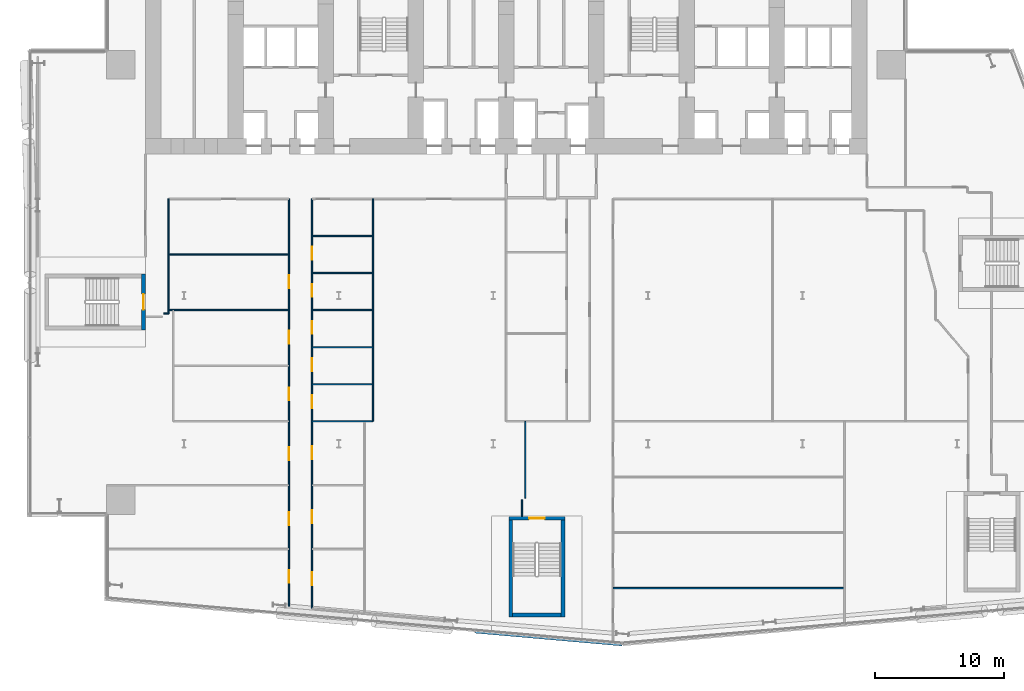
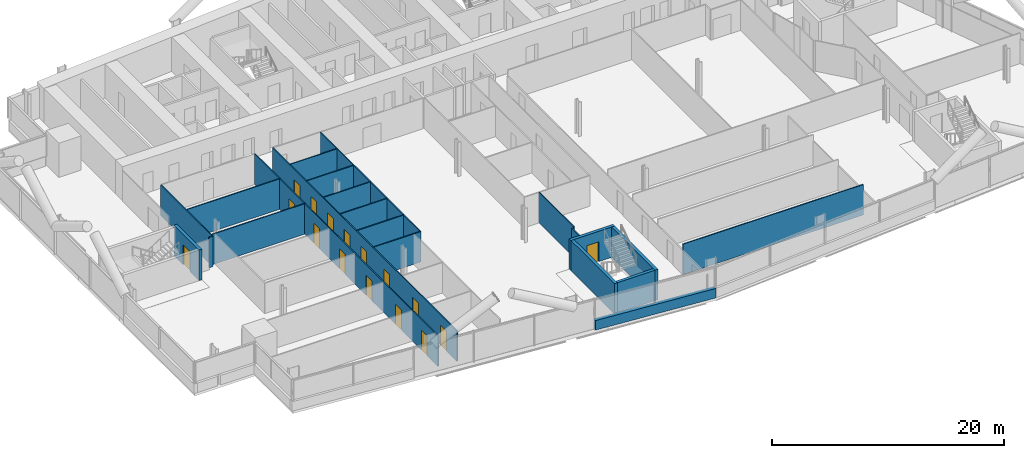
# One storey, part 13 of 27: 23 walls, 16 doors, 16 openings.
"""IFC4 building model written with IfcOpenShell, lengths in metres."""

from ifc_helpers import new_model, si_unit, direction, frame, frame_2d, origin, place, context, subcontext, project, spatial, rectangle, extrude, material, layer, layer_set, type_object, element, fill, save


model = new_model("IFC4")

# Units and contexts
model_context = context("Model", 3, precision=1e-05, world=origin(), true_north=direction((0.0, 1.0)))
body_context = subcontext(model_context, "Body", "Model", "MODEL_VIEW")
ifc_project = project(units=[si_unit("LENGTHUNIT", "METRE"), si_unit("AREAUNIT", "SQUARE_METRE"), si_unit("VOLUMEUNIT", "CUBIC_METRE"), si_unit("PLANEANGLEUNIT", "RADIAN"), si_unit("MASSUNIT", "GRAM", prefix="KILO")], contexts=[model_context])

# Site, building, storey
site_placement = place(None, origin())
site = spatial("IfcSite", under=ifc_project, at=site_placement, CompositionType="ELEMENT")
building_placement = place(site_placement, origin())
building = spatial("IfcBuilding", under=site, at=building_placement, Name="Wharfspan Tower", CompositionType="ELEMENT")
storey_placement = place(building_placement, frame((0.0, 0.0, 73.899902)))
storey = spatial("IfcBuildingStorey", under=building, at=storey_placement, Name="L15", CompositionType="ELEMENT", Elevation=73.899902)

# Walls
ifc_material_1 = material(Name="Gypsum board on steel studs", Category="steel")
ifc_layer_1 = layer(ifc_material_1, 0.100098)
ifc_layer_set_1 = layer_set([ifc_layer_1], Name="Gypsum board on steel studs")
wall_type_1 = type_object("IfcWallType", Name="Compartment wall 100 EI 60", PredefinedType="PARTITIONING", material=ifc_layer_set_1)
wall_1_placement = place(storey_placement, frame((10.419922, 21.600098, 0.0), z_axis=(0.0, 0.0, 1.0), x_axis=(1.0, 0.0, 0.0)))
element("IfcWall", 1, at=wall_1_placement, inside=storey, type_object=wall_type_1, Name="Partition L15.w008", PredefinedType="PARTITIONING", context=body_context, shape_type="SweptSolid", body=[
    extrude(rectangle(XDim=0.380127, YDim=0.100098, at=frame_2d((0.189941, 0.0))), origin(), (0.0, 0.0, 1.0), 3.200195),
])
wall_2_placement = place(storey_placement, frame((10.800049, 21.600098, 0.0), z_axis=(0.0, 0.0, 1.0), x_axis=(0.0, 1.0, 0.0)))
element("IfcWall", 2, at=wall_2_placement, inside=storey, type_object=wall_type_1, Name="Partition L15.w009", PredefinedType="PARTITIONING", context=body_context, shape_type="SweptSolid", body=[
    extrude(rectangle(XDim=8.899902, YDim=0.100098, at=frame_2d((4.449951, 0.0))), origin(), (0.0, 0.0, 1.0), 3.200195),
])
for number, where, z_axis, x_axis, name in (
    (3, (10.800049, 21.870117, 0.0), (0.0, 0.0, 1.0), (1.0, 0.0, 0.0), "Partition L15.w010"),
    (4, (10.800049, 26.185059, 0.0), (0.0, 0.0, 1.0), (1.0, 0.0, 0.0), "Partition L15.w011"),
):
    element("IfcWall", number, at=place(storey_placement, frame(where, z_axis=z_axis, x_axis=x_axis)), inside=storey, type_object=wall_type_1, Name=name, PredefinedType="PARTITIONING", context=body_context, shape_type="SweptSolid", body=[
        extrude(rectangle(XDim=9.339844, YDim=0.100098, at=frame_2d((4.669922, 0.0))), origin(), (0.0, 0.0, 1.0), 3.200195),
    ])

# Wall, openings, doors
wall_3_placement = place(storey_placement, frame((20.139893, -1.129883, 0.0), z_axis=(0.0, 0.0, 1.0), x_axis=(0.0, 1.0, 0.0)))
wall_3 = element("IfcWall", 5, at=wall_3_placement, inside=storey, type_object=wall_type_1, Name="Partition L15.w016", PredefinedType="PARTITIONING", context=body_context, shape_type="SweptSolid", body=[
    extrude(rectangle(XDim=31.629883, YDim=0.100098, at=frame_2d((15.814941, 0.0))), origin(), (0.0, 0.0, 1.0), 3.200195),
])
opening_1_placement = place(wall_3_placement, frame((1.824951, 0.0, 0.0)))
opening_1 = element("IfcOpeningElement", 6, at=opening_1_placement, cuts=wall_3, Name="Opening A4-03", PredefinedType="OPENING", context=body_context, shape_type="SweptSolid", body=[
    extrude(rectangle(XDim=1.0, YDim=2.100098, at=frame_2d((0.5, 1.050049))), frame((0.0, 0.060059, 0.0), z_axis=(0.0, -1.0, 0.0), x_axis=(1.0, 0.0, 0.0)), (0.0, 0.0, 1.0), 0.120117),
])
opening_2_placement = place(wall_3_placement, frame((6.304932, 0.0, 0.0)))
opening_2 = element("IfcOpeningElement", 7, at=opening_2_placement, cuts=wall_3, Name="Opening A4-05", PredefinedType="OPENING", context=body_context, shape_type="SweptSolid", body=[
    extrude(rectangle(XDim=1.0, YDim=2.100098, at=frame_2d((0.5, 1.050049))), frame((0.0, 0.060059, 0.0), z_axis=(0.0, -1.0, 0.0), x_axis=(1.0, 0.0, 0.0)), (0.0, 0.0, 1.0), 0.120117),
])
opening_3_placement = place(wall_3_placement, frame((11.350098, 0.0, 0.0)))
opening_3 = element("IfcOpeningElement", 8, at=opening_3_placement, cuts=wall_3, Name="Opening A4-09", PredefinedType="OPENING", context=body_context, shape_type="SweptSolid", body=[
    extrude(rectangle(XDim=1.0, YDim=2.100098, at=frame_2d((0.5, 1.050049))), frame((0.0, 0.060059, 0.0), z_axis=(0.0, -1.0, 0.0), x_axis=(1.0, 0.0, 0.0)), (0.0, 0.0, 1.0), 0.120117),
])
opening_4_placement = place(wall_3_placement, frame((15.985107, 0.0, 0.0)))
opening_4 = element("IfcOpeningElement", 9, at=opening_4_placement, cuts=wall_3, Name="Opening A4-14", PredefinedType="OPENING", context=body_context, shape_type="SweptSolid", body=[
    extrude(rectangle(XDim=1.0, YDim=2.100098, at=frame_2d((0.5, 1.050049))), frame((0.0, 0.060059, 0.0), z_axis=(0.0, -1.0, 0.0), x_axis=(1.0, 0.0, 0.0)), (0.0, 0.0, 1.0), 0.120117),
])
opening_5_placement = place(wall_3_placement, frame((20.379883, 0.0, 0.0)))
opening_5 = element("IfcOpeningElement", 10, at=opening_5_placement, cuts=wall_3, Name="Opening A4-19", PredefinedType="OPENING", context=body_context, shape_type="SweptSolid", body=[
    extrude(rectangle(XDim=1.0, YDim=2.100098, at=frame_2d((0.5, 1.050049))), frame((0.0, 0.060059, 0.0), z_axis=(0.0, -1.0, 0.0), x_axis=(1.0, 0.0, 0.0)), (0.0, 0.0, 1.0), 0.120117),
])
opening_6_placement = place(wall_3_placement, frame((24.695068, 0.0, 0.0)))
opening_6 = element("IfcOpeningElement", 11, at=opening_6_placement, cuts=wall_3, Name="Opening A4-24", PredefinedType="OPENING", context=body_context, shape_type="SweptSolid", body=[
    extrude(rectangle(XDim=1.0, YDim=2.100098, at=frame_2d((0.5, 1.050049))), frame((0.0, 0.060059, 0.0), z_axis=(0.0, -1.0, 0.0), x_axis=(1.0, 0.0, 0.0)), (0.0, 0.0, 1.0), 0.120117),
])
ifc_material_2 = material(Name="Fire-rated timber door leaf in steel frame", Category="steel")
door_type_1 = type_object("IfcDoorType", Name="Door 1000 FD30S Left", OperationType="SINGLE_SWING_LEFT", PredefinedType="DOOR", material=ifc_material_2)
door_1_placement = place(opening_1_placement, origin())
door_1 = element("IfcDoor", 12, at=door_1_placement, inside=storey, type_object=door_type_1, Name="Door A4-03", OperationType="SINGLE_SWING_LEFT", OverallHeight=2.100098, OverallWidth=1.0, PredefinedType="DOOR", context=body_context, shape_type="SweptSolid", body=[
    extrude(rectangle(XDim=1.0, YDim=2.100098, at=frame_2d((0.5, 1.050049))), frame((0.0, 0.024902, 0.0), z_axis=(0.0, -1.0, 0.0), x_axis=(1.0, 0.0, 0.0)), (0.0, 0.0, 1.0), 0.050049),
])
fill(opening_1, door_1)
door_2_placement = place(opening_2_placement, origin())
door_2 = element("IfcDoor", 13, at=door_2_placement, inside=storey, type_object=door_type_1, Name="Door A4-05", OperationType="SINGLE_SWING_LEFT", OverallHeight=2.100098, OverallWidth=1.0, PredefinedType="DOOR", context=body_context, shape_type="SweptSolid", body=[
    extrude(rectangle(XDim=1.0, YDim=2.100098, at=frame_2d((0.5, 1.050049))), frame((0.0, 0.024902, 0.0), z_axis=(0.0, -1.0, 0.0), x_axis=(1.0, 0.0, 0.0)), (0.0, 0.0, 1.0), 0.050049),
])
fill(opening_2, door_2)
door_3_placement = place(opening_3_placement, origin())
door_3 = element("IfcDoor", 14, at=door_3_placement, inside=storey, type_object=door_type_1, Name="Door A4-09", OperationType="SINGLE_SWING_LEFT", OverallHeight=2.100098, OverallWidth=1.0, PredefinedType="DOOR", context=body_context, shape_type="SweptSolid", body=[
    extrude(rectangle(XDim=1.0, YDim=2.100098, at=frame_2d((0.5, 1.050049))), frame((0.0, 0.024902, 0.0), z_axis=(0.0, -1.0, 0.0), x_axis=(1.0, 0.0, 0.0)), (0.0, 0.0, 1.0), 0.050049),
])
fill(opening_3, door_3)
door_type_2 = type_object("IfcDoorType", Name="Door 1000 FD30S Right", OperationType="SINGLE_SWING_RIGHT", PredefinedType="DOOR", material=ifc_material_2)
door_4_placement = place(opening_4_placement, origin())
door_4 = element("IfcDoor", 15, at=door_4_placement, inside=storey, type_object=door_type_2, Name="Door A4-14", OperationType="SINGLE_SWING_RIGHT", OverallHeight=2.100098, OverallWidth=1.0, PredefinedType="DOOR", context=body_context, shape_type="SweptSolid", body=[
    extrude(rectangle(XDim=1.0, YDim=2.100098, at=frame_2d((0.5, 1.050049))), frame((0.0, 0.024902, 0.0), z_axis=(0.0, -1.0, 0.0), x_axis=(1.0, 0.0, 0.0)), (0.0, 0.0, 1.0), 0.050049),
])
fill(opening_4, door_4)
door_5_placement = place(opening_5_placement, origin())
door_5 = element("IfcDoor", 16, at=door_5_placement, inside=storey, type_object=door_type_2, Name="Door A4-19", OperationType="SINGLE_SWING_RIGHT", OverallHeight=2.100098, OverallWidth=1.0, PredefinedType="DOOR", context=body_context, shape_type="SweptSolid", body=[
    extrude(rectangle(XDim=1.0, YDim=2.100098, at=frame_2d((0.5, 1.050049))), frame((0.0, 0.024902, 0.0), z_axis=(0.0, -1.0, 0.0), x_axis=(1.0, 0.0, 0.0)), (0.0, 0.0, 1.0), 0.050049),
])
fill(opening_5, door_5)
door_6_placement = place(opening_6_placement, origin())
door_6 = element("IfcDoor", 17, at=door_6_placement, inside=storey, type_object=door_type_2, Name="Door A4-24", OperationType="SINGLE_SWING_RIGHT", OverallHeight=2.100098, OverallWidth=1.0, PredefinedType="DOOR", context=body_context, shape_type="SweptSolid", body=[
    extrude(rectangle(XDim=1.0, YDim=2.100098, at=frame_2d((0.5, 1.050049))), frame((0.0, 0.024902, 0.0), z_axis=(0.0, -1.0, 0.0), x_axis=(1.0, 0.0, 0.0)), (0.0, 0.0, 1.0), 0.050049),
])
fill(opening_6, door_6)

wall_4_placement = place(storey_placement, frame((21.939941, -1.290039, 0.0), z_axis=(0.0, 0.0, 1.0), x_axis=(0.0, 1.0, 0.0)))
wall_4 = element("IfcWall", 18, at=wall_4_placement, inside=storey, type_object=wall_type_1, Name="Partition L15.w017", PredefinedType="PARTITIONING", context=body_context, shape_type="SweptSolid", body=[
    extrude(rectangle(XDim=31.790039, YDim=0.100098, at=frame_2d((15.89502, 0.0))), origin(), (0.0, 0.0, 1.0), 3.200195),
])
opening_7_placement = place(wall_4_placement, frame((1.820068, 0.0, 0.0)))
opening_7 = element("IfcOpeningElement", 19, at=opening_7_placement, cuts=wall_4, Name="Opening A4-02", PredefinedType="OPENING", context=body_context, shape_type="SweptSolid", body=[
    extrude(rectangle(XDim=1.0, YDim=2.100098, at=frame_2d((0.5, 1.050049))), frame((0.0, 0.060059, 0.0), z_axis=(0.0, -1.0, 0.0), x_axis=(1.0, 0.0, 0.0)), (0.0, 0.0, 1.0), 0.120117),
])
opening_8_placement = place(wall_4_placement, frame((6.629883, 0.0, 0.0)))
opening_8 = element("IfcOpeningElement", 20, at=opening_8_placement, cuts=wall_4, Name="Opening A4-06", PredefinedType="OPENING", context=body_context, shape_type="SweptSolid", body=[
    extrude(rectangle(XDim=1.0, YDim=2.100098, at=frame_2d((0.5, 1.050049))), frame((0.0, 0.060059, 0.0), z_axis=(0.0, -1.0, 0.0), x_axis=(1.0, 0.0, 0.0)), (0.0, 0.0, 1.0), 0.120117),
])
opening_9_placement = place(wall_4_placement, frame((11.590088, 0.0, 0.0)))
opening_9 = element("IfcOpeningElement", 21, at=opening_9_placement, cuts=wall_4, Name="Opening A4-10", PredefinedType="OPENING", context=body_context, shape_type="SweptSolid", body=[
    extrude(rectangle(XDim=1.0, YDim=2.100098, at=frame_2d((0.5, 1.050049))), frame((0.0, 0.060059, 0.0), z_axis=(0.0, -1.0, 0.0), x_axis=(1.0, 0.0, 0.0)), (0.0, 0.0, 1.0), 0.120117),
])
opening_10_placement = place(wall_4_placement, frame((15.550049, 0.0, 0.0)))
opening_10 = element("IfcOpeningElement", 22, at=opening_10_placement, cuts=wall_4, Name="Opening A4-13", PredefinedType="OPENING", context=body_context, shape_type="SweptSolid", body=[
    extrude(rectangle(XDim=1.0, YDim=2.100098, at=frame_2d((0.5, 1.050049))), frame((0.0, 0.060059, 0.0), z_axis=(0.0, -1.0, 0.0), x_axis=(1.0, 0.0, 0.0)), (0.0, 0.0, 1.0), 0.120117),
])
opening_11_placement = place(wall_4_placement, frame((18.425049, 0.0, 0.0)))
opening_11 = element("IfcOpeningElement", 23, at=opening_11_placement, cuts=wall_4, Name="Opening A4-18", PredefinedType="OPENING", context=body_context, shape_type="SweptSolid", body=[
    extrude(rectangle(XDim=1.0, YDim=2.100098, at=frame_2d((0.5, 1.050049))), frame((0.0, 0.060059, 0.0), z_axis=(0.0, -1.0, 0.0), x_axis=(1.0, 0.0, 0.0)), (0.0, 0.0, 1.0), 0.120117),
])
opening_12_placement = place(wall_4_placement, frame((21.304932, 0.0, 0.0)))
opening_12 = element("IfcOpeningElement", 24, at=opening_12_placement, cuts=wall_4, Name="Opening A4-20", PredefinedType="OPENING", context=body_context, shape_type="SweptSolid", body=[
    extrude(rectangle(XDim=1.0, YDim=2.100098, at=frame_2d((0.5, 1.050049))), frame((0.0, 0.060059, 0.0), z_axis=(0.0, -1.0, 0.0), x_axis=(1.0, 0.0, 0.0)), (0.0, 0.0, 1.0), 0.120117),
])
opening_13_placement = place(wall_4_placement, frame((24.179932, 0.0, 0.0)))
opening_13 = element("IfcOpeningElement", 25, at=opening_13_placement, cuts=wall_4, Name="Opening A4-23", PredefinedType="OPENING", context=body_context, shape_type="SweptSolid", body=[
    extrude(rectangle(XDim=1.0, YDim=2.100098, at=frame_2d((0.5, 1.050049))), frame((0.0, 0.060059, 0.0), z_axis=(0.0, -1.0, 0.0), x_axis=(1.0, 0.0, 0.0)), (0.0, 0.0, 1.0), 0.120117),
])
opening_14_placement = place(wall_4_placement, frame((27.054932, 0.0, 0.0)))
opening_14 = element("IfcOpeningElement", 26, at=opening_14_placement, cuts=wall_4, Name="Opening A4-25", PredefinedType="OPENING", context=body_context, shape_type="SweptSolid", body=[
    extrude(rectangle(XDim=1.0, YDim=2.100098, at=frame_2d((0.5, 1.050049))), frame((0.0, 0.060059, 0.0), z_axis=(0.0, -1.0, 0.0), x_axis=(1.0, 0.0, 0.0)), (0.0, 0.0, 1.0), 0.120117),
])
door_7_placement = place(opening_7_placement, origin())
door_7 = element("IfcDoor", 27, at=door_7_placement, inside=storey, type_object=door_type_1, Name="Door A4-02", OperationType="SINGLE_SWING_LEFT", OverallHeight=2.100098, OverallWidth=1.0, PredefinedType="DOOR", context=body_context, shape_type="SweptSolid", body=[
    extrude(rectangle(XDim=1.0, YDim=2.100098, at=frame_2d((0.5, 1.050049))), frame((0.0, 0.024902, 0.0), z_axis=(0.0, -1.0, 0.0), x_axis=(1.0, 0.0, 0.0)), (0.0, 0.0, 1.0), 0.050049),
])
fill(opening_7, door_7)
door_8_placement = place(opening_8_placement, origin())
door_8 = element("IfcDoor", 28, at=door_8_placement, inside=storey, type_object=door_type_1, Name="Door A4-06", OperationType="SINGLE_SWING_LEFT", OverallHeight=2.100098, OverallWidth=1.0, PredefinedType="DOOR", context=body_context, shape_type="SweptSolid", body=[
    extrude(rectangle(XDim=1.0, YDim=2.100098, at=frame_2d((0.5, 1.050049))), frame((0.0, 0.024902, 0.0), z_axis=(0.0, -1.0, 0.0), x_axis=(1.0, 0.0, 0.0)), (0.0, 0.0, 1.0), 0.050049),
])
fill(opening_8, door_8)
door_9_placement = place(opening_9_placement, origin())
door_9 = element("IfcDoor", 29, at=door_9_placement, inside=storey, type_object=door_type_1, Name="Door A4-10", OperationType="SINGLE_SWING_LEFT", OverallHeight=2.100098, OverallWidth=1.0, PredefinedType="DOOR", context=body_context, shape_type="SweptSolid", body=[
    extrude(rectangle(XDim=1.0, YDim=2.100098, at=frame_2d((0.5, 1.050049))), frame((0.0, 0.024902, 0.0), z_axis=(0.0, -1.0, 0.0), x_axis=(1.0, 0.0, 0.0)), (0.0, 0.0, 1.0), 0.050049),
])
fill(opening_9, door_9)
door_10_placement = place(opening_10_placement, origin())
door_10 = element("IfcDoor", 30, at=door_10_placement, inside=storey, type_object=door_type_2, Name="Door A4-13", OperationType="SINGLE_SWING_RIGHT", OverallHeight=2.100098, OverallWidth=1.0, PredefinedType="DOOR", context=body_context, shape_type="SweptSolid", body=[
    extrude(rectangle(XDim=1.0, YDim=2.100098, at=frame_2d((0.5, 1.050049))), frame((0.0, 0.024902, 0.0), z_axis=(0.0, -1.0, 0.0), x_axis=(1.0, 0.0, 0.0)), (0.0, 0.0, 1.0), 0.050049),
])
fill(opening_10, door_10)
door_11_placement = place(opening_11_placement, origin())
door_11 = element("IfcDoor", 31, at=door_11_placement, inside=storey, type_object=door_type_2, Name="Door A4-18", OperationType="SINGLE_SWING_RIGHT", OverallHeight=2.100098, OverallWidth=1.0, PredefinedType="DOOR", context=body_context, shape_type="SweptSolid", body=[
    extrude(rectangle(XDim=1.0, YDim=2.100098, at=frame_2d((0.5, 1.050049))), frame((0.0, 0.024902, 0.0), z_axis=(0.0, -1.0, 0.0), x_axis=(1.0, 0.0, 0.0)), (0.0, 0.0, 1.0), 0.050049),
])
fill(opening_11, door_11)
door_12_placement = place(opening_12_placement, origin())
door_12 = element("IfcDoor", 32, at=door_12_placement, inside=storey, type_object=door_type_2, Name="Door A4-20", OperationType="SINGLE_SWING_RIGHT", OverallHeight=2.100098, OverallWidth=1.0, PredefinedType="DOOR", context=body_context, shape_type="SweptSolid", body=[
    extrude(rectangle(XDim=1.0, YDim=2.100098, at=frame_2d((0.5, 1.050049))), frame((0.0, 0.024902, 0.0), z_axis=(0.0, -1.0, 0.0), x_axis=(1.0, 0.0, 0.0)), (0.0, 0.0, 1.0), 0.050049),
])
fill(opening_12, door_12)
door_13_placement = place(opening_13_placement, origin())
door_13 = element("IfcDoor", 33, at=door_13_placement, inside=storey, type_object=door_type_2, Name="Door A4-23", OperationType="SINGLE_SWING_RIGHT", OverallHeight=2.100098, OverallWidth=1.0, PredefinedType="DOOR", context=body_context, shape_type="SweptSolid", body=[
    extrude(rectangle(XDim=1.0, YDim=2.100098, at=frame_2d((0.5, 1.050049))), frame((0.0, 0.024902, 0.0), z_axis=(0.0, -1.0, 0.0), x_axis=(1.0, 0.0, 0.0)), (0.0, 0.0, 1.0), 0.050049),
])
fill(opening_13, door_13)
door_14_placement = place(opening_14_placement, origin())
door_14 = element("IfcDoor", 34, at=door_14_placement, inside=storey, type_object=door_type_2, Name="Door A4-25", OperationType="SINGLE_SWING_RIGHT", OverallHeight=2.100098, OverallWidth=1.0, PredefinedType="DOOR", context=body_context, shape_type="SweptSolid", body=[
    extrude(rectangle(XDim=1.0, YDim=2.100098, at=frame_2d((0.5, 1.050049))), frame((0.0, 0.024902, 0.0), z_axis=(0.0, -1.0, 0.0), x_axis=(1.0, 0.0, 0.0)), (0.0, 0.0, 1.0), 0.050049),
])
fill(opening_14, door_14)

# Walls
for number, where, z_axis, x_axis, name in (
    (35, (21.939941, 13.23999, 0.0), (0.0, 0.0, 1.0), (1.0, 0.0, 0.0), "Partition L15.w020"),
    (36, (21.939941, 16.11499, 0.0), (0.0, 0.0, 1.0), (1.0, 0.0, 0.0), "Partition L15.w021"),
    (37, (21.939941, 18.98999, 0.0), (0.0, 0.0, 1.0), (1.0, 0.0, 0.0), "Partition L15.w022"),
    (38, (21.939941, 21.870117, 0.0), (0.0, 0.0, 1.0), (1.0, 0.0, 0.0), "Partition L15.w023"),
    (39, (21.939941, 24.745117, 0.0), (0.0, 0.0, 1.0), (1.0, 0.0, 0.0), "Partition L15.w024"),
    (40, (21.939941, 27.625, 0.0), (0.0, 0.0, 1.0), (1.0, 0.0, 0.0), "Partition L15.w025"),
):
    element("IfcWall", number, at=place(storey_placement, frame(where, z_axis=z_axis, x_axis=x_axis)), inside=storey, type_object=wall_type_1, Name=name, PredefinedType="PARTITIONING", context=body_context, shape_type="SweptSolid", body=[
        extrude(rectangle(XDim=4.725098, YDim=0.100098, at=frame_2d((2.362549, 0.0))), origin(), (0.0, 0.0, 1.0), 3.200195),
    ])
wall_5_placement = place(storey_placement, frame((26.669922, 16.11499, 0.0), z_axis=(0.0, 0.0, 1.0), x_axis=(0.0, 1.0, 0.0)))
element("IfcWall", 41, at=wall_5_placement, inside=storey, type_object=wall_type_1, Name="Partition L15.w030", PredefinedType="PARTITIONING", context=body_context, shape_type="SweptSolid", body=[
    extrude(rectangle(XDim=14.38501, YDim=0.100098, at=frame_2d((7.192383, 0.0))), origin(), (0.0, 0.0, 1.0), 3.200195),
])
wall_6_placement = place(storey_placement, frame((38.22998, 5.880615, 0.0), z_axis=(0.0, 0.0, 1.0), x_axis=(0.0, 1.0, 0.0)))
element("IfcWall", 42, at=wall_6_placement, inside=storey, type_object=wall_type_1, Name="Partition L15.w036", PredefinedType="PARTITIONING", context=body_context, shape_type="SweptSolid", body=[
    extrude(rectangle(XDim=1.279297, YDim=0.100098, at=frame_2d((0.639648, 0.0))), origin(), (0.0, 0.0, 1.0), 3.200195),
])
wall_7_placement = place(storey_placement, frame((38.47998, 7.280029, 0.0), z_axis=(0.0, 0.0, 1.0), x_axis=(0.0, 1.0, 0.0)))
element("IfcWall", 43, at=wall_7_placement, inside=storey, type_object=wall_type_1, Name="Partition L15.w037", PredefinedType="PARTITIONING", context=body_context, shape_type="SweptSolid", body=[
    extrude(rectangle(XDim=5.955078, YDim=0.100098, at=frame_2d((2.977539, 0.0))), origin(), (0.0, 0.0, 1.0), 3.200195),
])
wall_8_placement = place(storey_placement, frame((45.300049, 0.290039, 0.0), z_axis=(0.0, 0.0, 1.0), x_axis=(1.0, 0.0, 0.0)))
element("IfcWall", 44, at=wall_8_placement, inside=storey, type_object=wall_type_1, Name="Partition L15.w041", PredefinedType="PARTITIONING", context=body_context, shape_type="SweptSolid", body=[
    extrude(rectangle(XDim=17.949951, YDim=0.100098, at=frame_2d((8.975098, 0.0))), origin(), (0.0, 0.0, 1.0), 3.200195),
])
ifc_layer_2 = layer(ifc_material_1, 0.100098)
ifc_layer_set_2 = layer_set([ifc_layer_2], Name="Gypsum board on steel studs")
wall_type_2 = type_object("IfcWallType", Name="Partition 100", PredefinedType="PARTITIONING", material=ifc_layer_set_2)
wall_9_placement = place(storey_placement, frame((26.665039, 13.23999, 0.0), z_axis=(0.0, 0.0, 1.0), x_axis=(0.001698, 0.999995, 0.0)))
element("IfcWall", 45, at=wall_9_placement, inside=storey, type_object=wall_type_2, Name="Partition L15.w028", PredefinedType="PARTITIONING", context=body_context, shape_type="SweptSolid", body=[
    extrude(rectangle(XDim=2.875, YDim=0.100098, at=frame_2d((1.4375, 0.0))), origin(), (0.0, 0.0, 1.0), 3.200195),
])
ifc_material_3 = material(Name="Concrete C40/50", Category="concrete")
ifc_layer_3 = layer(ifc_material_3, 0.350098)
ifc_layer_set_3 = layer_set([ifc_layer_3], Name="Concrete C40/50")
wall_type_3 = type_object("IfcWallType", Name="SPANDREL EXPOSED CONCRETE 350", PredefinedType="SOLIDWALL", material=ifc_layer_set_3)
wall_10_placement = place(storey_placement, frame((34.60083, -3.032227, 0.0), z_axis=(0.0, 0.0, 1.0), x_axis=(0.996193, -0.087148, 0.0)))
element("IfcWall", 46, at=wall_10_placement, inside=storey, type_object=wall_type_3, Name="Spandrel upstand L15 S1 2", PredefinedType="SOLIDWALL", context=body_context, shape_type="SweptSolid", body=[
    extrude(rectangle(XDim=11.458008, YDim=0.350098, at=frame_2d((5.729004, 0.0))), origin(), (0.0, 0.0, 1.0), 1.0),
])

# Wall, opening, door
ifc_layer_4 = layer(ifc_material_3, 0.300049)
ifc_layer_set_4 = layer_set([ifc_layer_4], Name="Concrete C40/50")
wall_type_4 = type_object("IfcWallType", Name="Stair core wall 300", PredefinedType="SHEAR", material=ifc_layer_set_4)
wall_11_placement = place(storey_placement, frame((8.850098, 20.324951, 0.0), z_axis=(0.0, 0.0, 1.0), x_axis=(0.0, 1.0, 0.0)))
wall_11 = element("IfcWall", 47, at=wall_11_placement, inside=storey, type_object=wall_type_4, Name="ST3 stair enclosure wall L15", PredefinedType="SHEAR", context=body_context, shape_type="SweptSolid", body=[
    extrude(rectangle(XDim=4.350098, YDim=0.300049, at=frame_2d((2.175049, 0.0))), origin(), (0.0, 0.0, 1.0), 3.200195),
])
opening_15_placement = place(wall_11_placement, frame((1.574951, 0.0, 0.0)))
opening_15 = element("IfcOpeningElement", 48, at=opening_15_placement, cuts=wall_11, Name="Opening SD3.L15", PredefinedType="OPENING", context=body_context, shape_type="SweptSolid", body=[
    extrude(rectangle(XDim=1.199951, YDim=2.100098, at=frame_2d((0.600098, 1.050049))), frame((0.0, 0.159912, 0.0), z_axis=(0.0, -1.0, 0.0), x_axis=(1.0, 0.0, 0.0)), (0.0, 0.0, 1.0), 0.320068),
])
ifc_material_4 = material(Name="Steel door leaf", Category="steel")
door_type_3 = type_object("IfcDoorType", Name="Stair door 1200x2100", OperationType="SINGLE_SWING_LEFT", PredefinedType="DOOR", material=ifc_material_4)
door_15_placement = place(opening_15_placement, origin())
door_15 = element("IfcDoor", 49, at=door_15_placement, inside=storey, type_object=door_type_3, Name="sd:L15:ST3z1", OperationType="SINGLE_SWING_RIGHT", OverallHeight=2.100098, OverallWidth=1.199951, PredefinedType="DOOR", context=body_context, shape_type="SweptSolid", body=[
    extrude(rectangle(XDim=1.199951, YDim=2.100098, at=frame_2d((0.600098, 1.050049))), frame((0.0, 0.024902, 0.0), z_axis=(0.0, -1.0, 0.0), x_axis=(1.0, 0.0, 0.0)), (0.0, 0.0, 1.0), 0.050049),
])
fill(opening_15, door_15)

wall_12_placement = place(storey_placement, frame((37.208252, 5.710693, 0.0), z_axis=(0.0, 0.0, 1.0), x_axis=(1.0, 0.0, 0.0)))
wall_12 = element("IfcWall", 50, at=wall_12_placement, inside=storey, type_object=wall_type_4, Name="ST4 stair enclosure wall L15", PredefinedType="SHEAR", context=body_context, shape_type="SweptSolid", body=[
    extrude(rectangle(XDim=4.350098, YDim=0.300049, at=frame_2d((2.175049, 0.0))), origin(), (0.0, 0.0, 1.0), 3.200195),
])
opening_16_placement = place(wall_12_placement, frame((1.574951, 0.0, 0.0)))
opening_16 = element("IfcOpeningElement", 51, at=opening_16_placement, cuts=wall_12, Name="Opening SD4.L15", PredefinedType="OPENING", context=body_context, shape_type="SweptSolid", body=[
    extrude(rectangle(XDim=1.199951, YDim=2.100098, at=frame_2d((0.600098, 1.050049))), frame((0.0, 0.159912, 0.0), z_axis=(0.0, -1.0, 0.0), x_axis=(1.0, 0.0, 0.0)), (0.0, 0.0, 1.0), 0.320068),
])
door_16_placement = place(opening_16_placement, origin())
door_16 = element("IfcDoor", 52, at=door_16_placement, inside=storey, type_object=door_type_3, Name="sd:L15:ST4z1", OperationType="SINGLE_SWING_RIGHT", OverallHeight=2.100098, OverallWidth=1.199951, PredefinedType="DOOR", context=body_context, shape_type="SweptSolid", body=[
    extrude(rectangle(XDim=1.199951, YDim=2.100098, at=frame_2d((0.600098, 1.050049))), frame((0.0, 0.024902, 0.0), z_axis=(0.0, -1.0, 0.0), x_axis=(1.0, 0.0, 0.0)), (0.0, 0.0, 1.0), 0.050049),
])
fill(opening_16, door_16)

# Walls
for number, where, z_axis, x_axis, name in (
    (53, (37.358398, -1.939453, 0.0), (0.0, 0.0, 1.0), (0.0, 1.0, 0.0), "ST4 stair enclosure wall L15"),
    (54, (41.408203, -1.939453, 0.0), (0.0, 0.0, 1.0), (0.0, 1.0, 0.0), "ST4 stair enclosure wall L15"),
):
    element("IfcWall", number, at=place(storey_placement, frame(where, z_axis=z_axis, x_axis=x_axis)), inside=storey, type_object=wall_type_4, Name=name, PredefinedType="SHEAR", context=body_context, shape_type="SweptSolid", body=[
        extrude(rectangle(XDim=7.5, YDim=0.300049, at=frame_2d((3.75, 0.0))), origin(), (0.0, 0.0, 1.0), 3.200195),
    ])
wall_13_placement = place(storey_placement, frame((37.508301, -1.789307, 0.0), z_axis=(0.0, 0.0, 1.0), x_axis=(1.0, 0.0, 0.0)))
element("IfcWall", 55, at=wall_13_placement, inside=storey, type_object=wall_type_4, Name="ST4 stair enclosure wall L15", PredefinedType="SHEAR", context=body_context, shape_type="SweptSolid", body=[
    extrude(rectangle(XDim=3.75, YDim=0.300049, at=frame_2d((1.875, 0.0))), origin(), (0.0, 0.0, 1.0), 3.200195),
])

save(model, "model.ifc")
